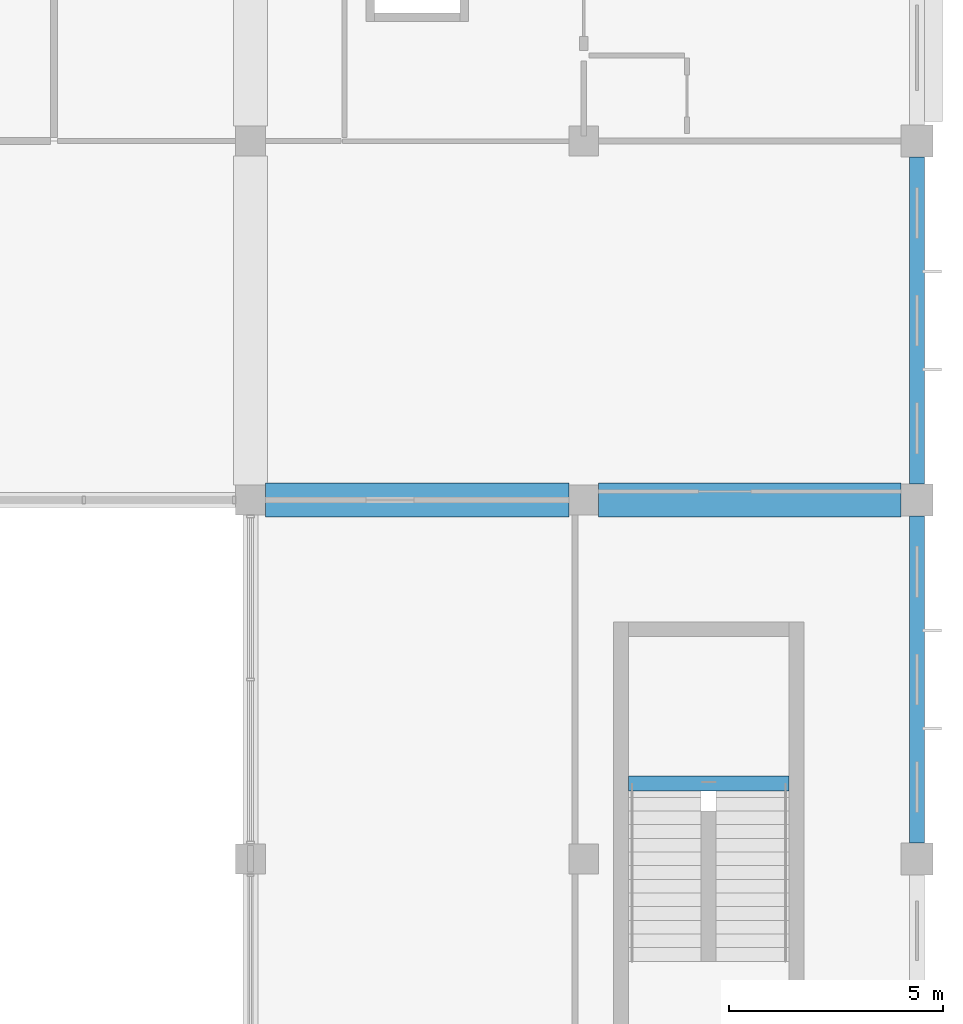
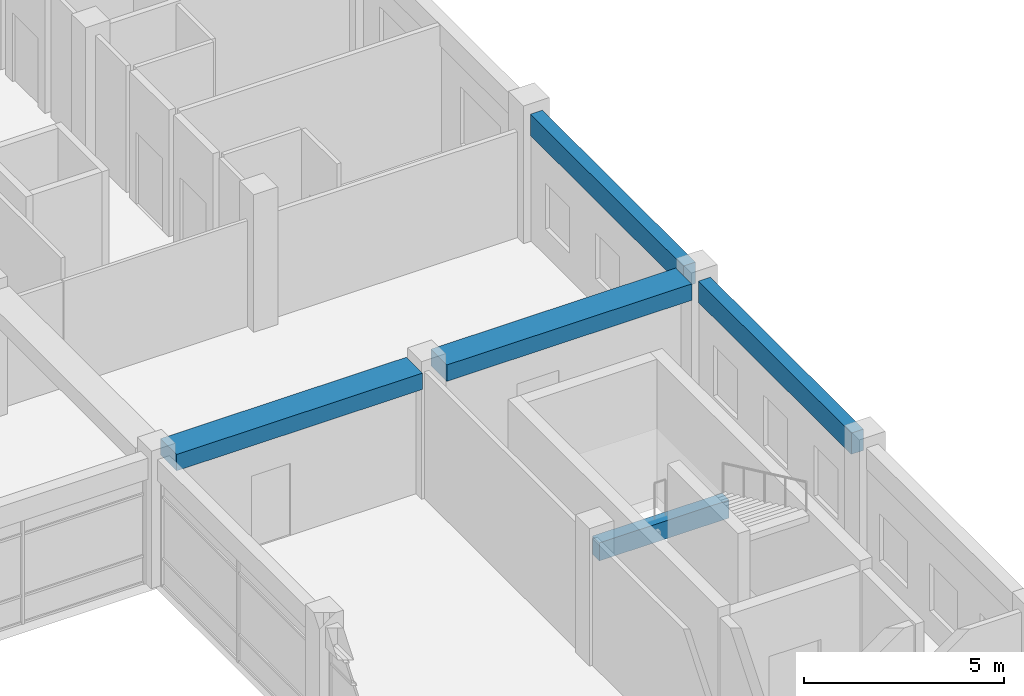
# One storey, part 19 of 53: 5 beams.
"""IFC4 building model written with IfcOpenShell, lengths in metres."""

from ifc_helpers import new_model, si_unit, direction, frame, origin, origin_2d, place, context, subcontext, project, spatial, rectangle, extrude, material, material_profile, profile_set, type_object, element, save


model = new_model("IFC4")

# Units and contexts
model_context = context("Model", 3, precision=1e-05, world=origin(), true_north=direction((0.0, 1.0)))
body_context = subcontext(model_context, "Body", "Model", "MODEL_VIEW")
ifc_project = project(units=[si_unit("LENGTHUNIT", "METRE"), si_unit("AREAUNIT", "SQUARE_METRE"), si_unit("VOLUMEUNIT", "CUBIC_METRE"), si_unit("PLANEANGLEUNIT", "RADIAN"), si_unit("MASSUNIT", "GRAM", prefix="KILO"), si_unit("THERMODYNAMICTEMPERATUREUNIT", "KELVIN"), si_unit("POWERUNIT", "WATT")], contexts=[model_context])

# Site, building, storey
site_placement = place(None, origin())
site = spatial("IfcSite", under=ifc_project, at=site_placement, CompositionType="ELEMENT")
building_placement = place(site_placement, origin())
building = spatial("IfcBuilding", under=site, at=building_placement, Name="Srebrne Nadtorze General Hospital", CompositionType="ELEMENT")
storey_placement = place(building_placement, frame((0.0, 0.0, 18.0)))
storey = spatial("IfcBuildingStorey", under=building, at=storey_placement, Name="L04", CompositionType="ELEMENT", Elevation=18.0)

# Beams
ifc_material_1 = material(Name="Concrete C35/45", Category="concrete")
ifc_material_profile_1 = material_profile(ifc_material_1, rectangle(XDim=0.35009765625, YDim=0.64990234375, at=origin_2d()), Name="RC-BM-350x650")
ifc_profile_set_1 = profile_set([ifc_material_profile_1], Name="Concrete C35/45")
beam_type_1 = type_object("IfcBeamType", Name="Edge beam RC 350x650", PredefinedType="BEAM", material=ifc_profile_set_1)
beam_1_placement = place(storey_placement, frame((148.199951171875, 17.175048828125, 3.56005859375), z_axis=(0.0, 1.0, 0.0), x_axis=(-1.0, 0.0, 0.0)))
element("IfcBeam", 1, at=beam_1_placement, inside=storey, type_object=beam_type_1, Name="Beam BM-L04-Y-0987", PredefinedType="BEAM", context=body_context, shape_type="SweptSolid", body=[
    extrude(rectangle(XDim=0.35009765625, YDim=0.64990234375, at=origin_2d()), origin(), (0.0, 0.0, 1.0), 7.64990234375),
])
beam_2_placement = place(storey_placement, frame((148.199951171875, 25.574951171875, 3.56005859375), z_axis=(0.0, 1.0, 0.0), x_axis=(-1.0, 0.0, 0.0)))
element("IfcBeam", 2, at=beam_2_placement, inside=storey, type_object=beam_type_1, Name="Beam BM-L04-Y-0988", PredefinedType="BEAM", context=body_context, shape_type="SweptSolid", body=[
    extrude(rectangle(XDim=0.35009765625, YDim=0.64990234375, at=origin_2d()), origin(), (0.0, 0.0, 1.0), 7.650146484375),
])
ifc_material_2 = material(Name="Concrete C40/50", Category="concrete")
ifc_material_profile_2 = material_profile(ifc_material_2, rectangle(XDim=0.800048828125, YDim=0.5, at=origin_2d()), Name="RC-BM-800x500")
ifc_profile_set_2 = profile_set([ifc_material_profile_2], Name="Concrete C40/50")
beam_type_2 = type_object("IfcBeamType", Name="Primary beam RC 800x500", PredefinedType="BEAM", material=ifc_profile_set_2)
beam_3_placement = place(storey_placement, frame((132.949951171875, 25.199951171875, 3.635009765625), z_axis=(1.0, 0.0, 0.0), x_axis=(0.0, 1.0, 0.0)))
element("IfcBeam", 3, at=beam_3_placement, inside=storey, type_object=beam_type_2, Name="Beam BM-L04-X-0879", PredefinedType="BEAM", context=body_context, shape_type="SweptSolid", body=[
    extrude(rectangle(XDim=0.800048828125, YDim=0.5, at=origin_2d()), origin(), (0.0, 0.0, 1.0), 7.10009765625),
])
beam_4_placement = place(storey_placement, frame((140.75, 25.199951171875, 3.635009765625), z_axis=(1.0, 0.0, 0.0), x_axis=(0.0, 1.0, 0.0)))
element("IfcBeam", 4, at=beam_4_placement, inside=storey, type_object=beam_type_2, Name="Beam BM-L04-X-0880", PredefinedType="BEAM", context=body_context, shape_type="SweptSolid", body=[
    extrude(rectangle(XDim=0.800048828125, YDim=0.5, at=origin_2d()), origin(), (0.0, 0.0, 1.0), 7.074951171875),
])
ifc_material_3 = material(Name="Concrete C35/45", Category="concrete")
ifc_material_profile_3 = material_profile(ifc_material_3, rectangle(XDim=0.35009765625, YDim=0.550048828125, at=origin_2d()), Name="RC-BM-350x550")
ifc_profile_set_3 = profile_set([ifc_material_profile_3], Name="Concrete C35/45")
beam_type_3 = type_object("IfcBeamType", Name="Spandrel lintel beam RC 350x550", PredefinedType="LINTEL", material=ifc_profile_set_3)
beam_5_placement = place(storey_placement, frame((141.449951171875, 18.56005859375, 1.824951171875), z_axis=(1.0, 0.0, 0.0), x_axis=(0.0, 1.0, 0.0)))
element("IfcBeam", 5, at=beam_5_placement, inside=storey, type_object=beam_type_3, Name="Stair landing header beam ST-08 L04", PredefinedType="LINTEL", context=body_context, shape_type="SweptSolid", body=[
    extrude(rectangle(XDim=0.35009765625, YDim=0.550048828125, at=origin_2d()), origin(), (0.0, 0.0, 1.0), 3.75),
])

save(model, "model.ifc")
